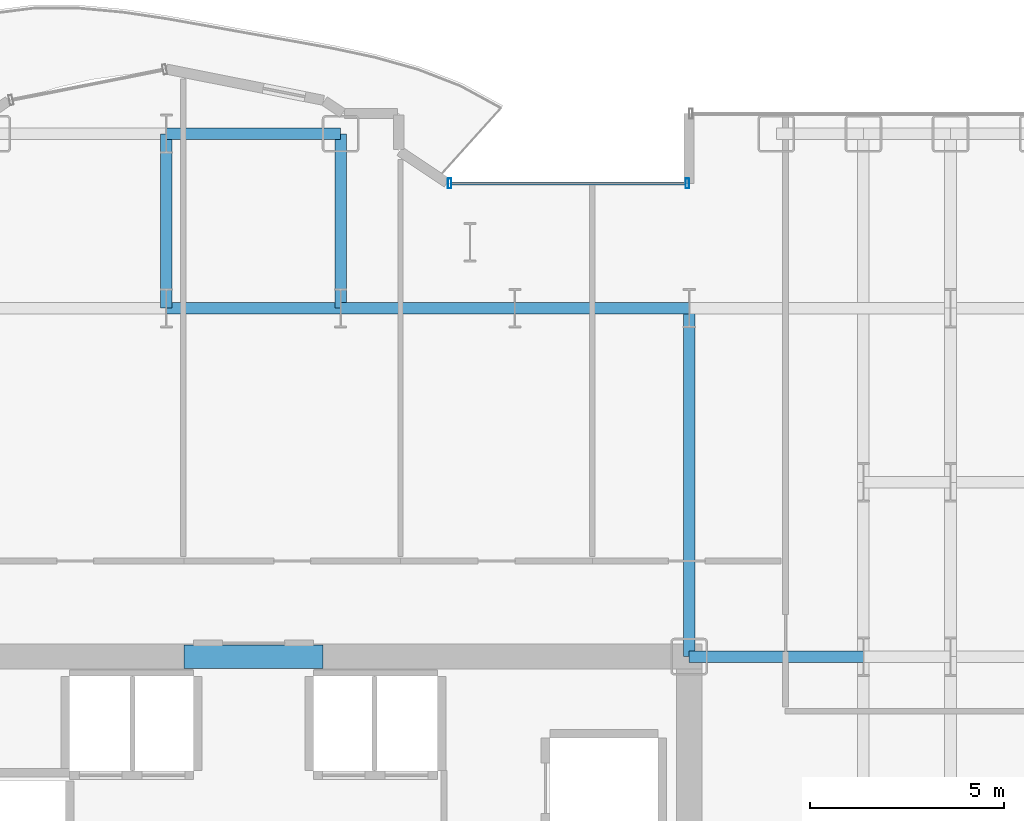
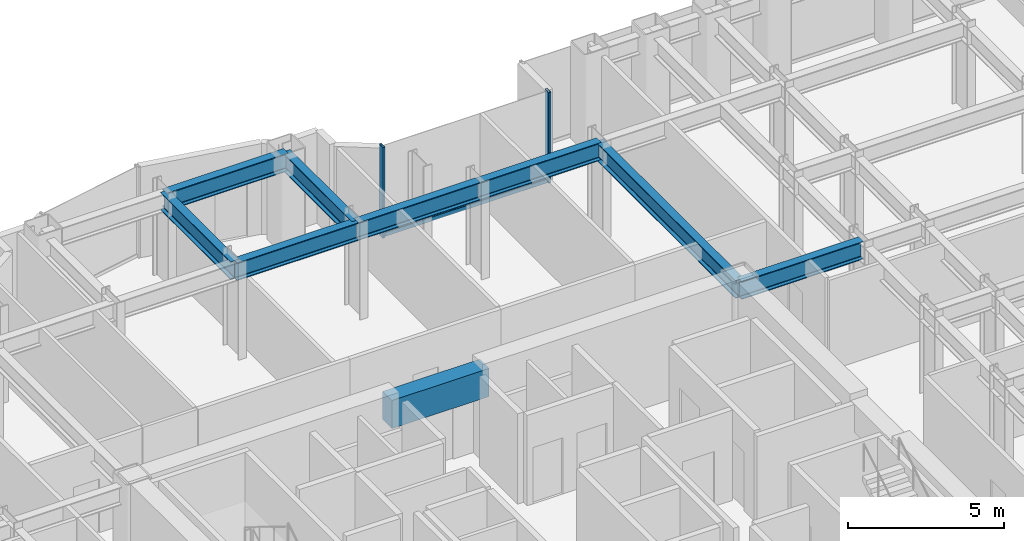
# One storey, part 14 of 29: 9 beams, 3 members, 1 element without a shape of its own.
"""IFC4 building model written with IfcOpenShell, lengths in metres."""

import ifcopenshell
import ifcopenshell.guid

model = None  # the IFC model being written
_history = None  # IfcOwnerHistory: only IFC2X3 demands one
_inside = {}  # id of a spatial element -> (the spatial element, [elements in it])
_under = {}  # id of a project, library or spatial element -> (it, [spatial elements below it])
_declared = {}  # id of a project -> (the project, [libraries it declares])
_typed = {}  # id of a type object -> (the type object, [elements of that type])
_made_of = {}  # id of a material, layer set ... -> (it, [elements and type objects made of it])


def new_model(schema):
    """Start an empty IFC model of exactly this schema.

    Asked for "IFC4X3", IfcOpenShell would pick the latest addendum, in which some entities
    have other attributes; the version numbers below select the first issue.
    IFC2X3 requires an IfcOwnerHistory on every rooted entity: one is made here for all.
    """
    global model, _history
    if schema == "IFC4X3":
        model = ifcopenshell.file(schema_version=(4, 3, 0, 0))
    else:
        model = ifcopenshell.file(schema=schema)
    _inside.clear()
    _under.clear()
    _declared.clear()
    _typed.clear()
    _made_of.clear()
    _history = None
    if model.schema == "IFC2X3":
        org = make("IfcOrganization", Name="unknown")
        user = make(
            "IfcPersonAndOrganization",
            ThePerson=make("IfcPerson", FamilyName="unknown"),
            TheOrganization=org,
        )
        app = make(
            "IfcApplication",
            ApplicationDeveloper=org,
            Version="unknown",
            ApplicationFullName="unknown",
            ApplicationIdentifier="unknown",
        )
        _history = make(
            "IfcOwnerHistory",
            OwningUser=user,
            OwningApplication=app,
            ChangeAction="ADDED",
            CreationDate=0,
        )
    return model


def make(cls, **values):
    """One entity of the class cls with the attributes given. An attribute that is None is left unset."""
    return model.create_entity(
        cls, **{name: value for name, value in values.items() if value is not None}
    )


def rooted(cls, **values):
    """An entity with a GlobalId (a new one), such as an element, a storey or a relation."""
    return make(cls, GlobalId=ifcopenshell.guid.new(), OwnerHistory=_history, **values)


def si_unit(unit_type, name, prefix=None):
    """IfcSIUnit, for example si_unit("LENGTHUNIT", "METRE", prefix="MILLI")."""
    return make("IfcSIUnit", UnitType=unit_type, Prefix=prefix, Name=name)


def assignment(units):
    """IfcUnitAssignment: the units of a project."""
    return None if units is None else make("IfcUnitAssignment", Units=units)


def point(xyz):
    """IfcCartesianPoint."""
    return None if xyz is None else make("IfcCartesianPoint", Coordinates=xyz)


def direction(xyz):
    """IfcDirection."""
    return None if xyz is None else make("IfcDirection", DirectionRatios=xyz)


def frame(location, z_axis=None, x_axis=None):
    """IfcAxis2Placement3D, a coordinate frame: its origin and axes. An axis left out is left unset."""
    return make(
        "IfcAxis2Placement3D",
        Location=point(location),
        Axis=direction(z_axis),
        RefDirection=direction(x_axis),
    )


def frame_2d(location, x_axis=None):
    """IfcAxis2Placement2D, a coordinate frame in the plane: its origin and x axis."""
    return make(
        "IfcAxis2Placement2D", Location=point(location), RefDirection=direction(x_axis)
    )


def origin():
    """The frame at (0, 0, 0) with its axes left unset."""
    return frame((0.0, 0.0, 0.0))


def origin_2d():
    """The frame at (0, 0) in the plane with its x axis left unset."""
    return frame_2d((0.0, 0.0))


def place(relative_to, where):
    """IfcLocalPlacement: puts the frame where relative to a parent placement (None: the world)."""
    return make(
        "IfcLocalPlacement", PlacementRelTo=relative_to, RelativePlacement=where
    )


def context(
    kind, dimensions, precision=None, world=None, true_north=None, identifier=None
):
    """IfcGeometricRepresentationContext, for example the 3D "Model" context."""
    return make(
        "IfcGeometricRepresentationContext",
        ContextIdentifier=identifier,
        ContextType=kind,
        CoordinateSpaceDimension=dimensions,
        Precision=precision,
        WorldCoordinateSystem=world,
        TrueNorth=true_north,
    )


def subcontext(parent, identifier, kind, view, scale=None):
    """IfcGeometricRepresentationSubContext, for example "Body" below "Model"."""
    return make(
        "IfcGeometricRepresentationSubContext",
        ContextIdentifier=identifier,
        ContextType=kind,
        ParentContext=parent,
        TargetScale=scale,
        TargetView=view,
    )


def project(units=None, contexts=None):
    """IfcProject with its units and contexts."""
    return rooted(
        "IfcProject",
        Name="project",
        RepresentationContexts=contexts,
        UnitsInContext=assignment(units),
    )


def spatial(cls, under=None, at=None, **own):
    """A site, building, storey or space (cls), placed at a placement, below another one or the project."""
    s = rooted(cls, ObjectPlacement=at, **own)
    if under is not None:
        _under.setdefault(under.id(), (under, []))[1].append(s)
    return s


def profile(cls, at=None, kind="AREA", **sizes):
    """A parametric profile (cls). Its sizes go by their IFC names, for example OverallWidth=200.0."""
    return make(cls, ProfileType=kind, Position=at, **sizes)


def rectangle(**sizes):
    """IfcRectangleProfileDef."""
    return profile("IfcRectangleProfileDef", **sizes)


def hollow_rectangle(**sizes):
    """IfcRectangleHollowProfileDef."""
    return profile("IfcRectangleHollowProfileDef", **sizes)


def i_section(**sizes):
    """IfcIShapeProfileDef."""
    return profile("IfcIShapeProfileDef", **sizes)


def extrude(swept, where, along, depth):
    """IfcExtrudedAreaSolid: the profile swept, set in the frame where, extruded along a direction by depth."""
    return make(
        "IfcExtrudedAreaSolid",
        SweptArea=swept,
        Position=where,
        ExtrudedDirection=direction(along),
        Depth=depth,
    )


def shape(context_of_items, identifier, shape_type, items):
    """IfcShapeRepresentation: the items that make up one representation, for example the "Body"."""
    return make(
        "IfcShapeRepresentation",
        ContextOfItems=context_of_items,
        RepresentationIdentifier=identifier,
        RepresentationType=shape_type,
        Items=items,
    )


def source(mapping_origin, context_of_items, identifier, shape_type, items):
    """IfcRepresentationMap: a shape defined once, which mapped items show again and again."""
    return make(
        "IfcRepresentationMap",
        MappingOrigin=mapping_origin,
        MappedRepresentation=shape(context_of_items, identifier, shape_type, items),
    )


def transform(
    local_origin,
    x_axis=None,
    y_axis=None,
    z_axis=None,
    scale=None,
    scale2=None,
    scale3=None,
    uniform=True,
):
    """IfcCartesianTransformationOperator3D, or its non-uniform kind. x_axis, y_axis, z_axis: its Axis1, 2, 3."""
    if uniform:
        return make(
            "IfcCartesianTransformationOperator3D",
            Axis1=direction(x_axis),
            Axis2=direction(y_axis),
            LocalOrigin=point(local_origin),
            Scale=scale,
            Axis3=direction(z_axis),
        )
    return make(
        "IfcCartesianTransformationOperator3DnonUniform",
        Axis1=direction(x_axis),
        Axis2=direction(y_axis),
        LocalOrigin=point(local_origin),
        Scale=scale,
        Axis3=direction(z_axis),
        Scale2=scale2,
        Scale3=scale3,
    )


def mapped(mapping_source, mapping_target):
    """IfcMappedItem: shows the shape of a source again, moved by a transform."""
    return make(
        "IfcMappedItem", MappingSource=mapping_source, MappingTarget=mapping_target
    )


def material(Name=None, Category=None):
    """IfcMaterial."""
    return make("IfcMaterial", Name=Name, Category=Category)


def layer(
    of_material, thickness, ventilated=None, Name=None, Category=None, Priority=None
):
    """IfcMaterialLayer: one layer of a wall or slab, of a material (None: an air gap)."""
    return make(
        "IfcMaterialLayer",
        Material=of_material,
        LayerThickness=thickness,
        IsVentilated=ventilated,
        Name=Name,
        Category=Category,
        Priority=Priority,
    )


def layer_set(layers, Name=None):
    """IfcMaterialLayerSet."""
    return make("IfcMaterialLayerSet", MaterialLayers=layers, LayerSetName=Name)


def material_profile(
    of_material, cross_section, Name=None, Category=None, Priority=None
):
    """IfcMaterialProfile: a cross section and its material."""
    return make(
        "IfcMaterialProfile",
        Name=Name,
        Material=of_material,
        Profile=cross_section,
        Priority=Priority,
        Category=Category,
    )


def profile_set(profiles, Name=None, composite=None):
    """IfcMaterialProfileSet."""
    return make(
        "IfcMaterialProfileSet",
        Name=Name,
        MaterialProfiles=profiles,
        CompositeProfile=composite,
    )


def made_of(thing, what):
    """Note that an element or type object is made of a material, layer set ...; save() writes the relation."""
    if what is not None:
        _made_of.setdefault(what.id(), (what, []))[1].append(thing)
    return thing


def type_object(cls, material=None, **own):
    """A type object (cls), such as IfcWallType, which elements share."""
    return made_of(rooted(cls, **own), material)


def element(
    cls,
    number,
    at=None,
    inside=None,
    cuts=None,
    type_object=None,
    material=None,
    context=None,
    identifier="Body",
    shape_type=None,
    held_by="IfcProductDefinitionShape",
    body=None,
    shapes=None,
    **own,
):
    """One element of the class cls, such as IfcWall. Its Tag is "e" and its number.

    at: its placement. inside: the storey or other place that contains it. cuts: it is an
    opening in that element (IfcRelVoidsElement). A single representation is given by context,
    identifier, shape_type and body (its items); several are given by shapes. held_by: the class
    of the entity that holds the representations. save() writes the other relations.
    """
    e = rooted(cls, Tag="e%d" % number, ObjectPlacement=at, **own)
    if body is not None:
        shapes = [shape(context, identifier, shape_type, body)]
    if shapes is not None:
        e.Representation = make(held_by, Representations=shapes)
    if inside is not None:
        _inside.setdefault(inside.id(), (inside, []))[1].append(e)
    if cuts is not None:
        rooted(
            "IfcRelVoidsElement", RelatingBuildingElement=cuts, RelatedOpeningElement=e
        )
    if type_object is not None:
        _typed.setdefault(type_object.id(), (type_object, []))[1].append(e)
    return made_of(e, material)


def aggregate(whole, parts):
    """IfcRelAggregates: a whole, such as a stair, and the parts it consists of."""
    return rooted("IfcRelAggregates", RelatingObject=whole, RelatedObjects=parts)


def save(model, path):
    """Write the relations noted so far, then the file.

    IfcRelAggregates (storeys below a building ...), IfcRelContainedInSpatialStructure (elements
    in a storey), IfcRelDefinesByType, IfcRelAssociatesMaterial and IfcRelDeclares: one each for
    every whole, place, type object, material and project.
    """
    for whole, parts in _under.values():
        aggregate(whole, parts)
    for where, things in _inside.values():
        rooted(
            "IfcRelContainedInSpatialStructure",
            RelatedElements=things,
            RelatingStructure=where,
        )
    for kind, things in _typed.values():
        rooted("IfcRelDefinesByType", RelatedObjects=things, RelatingType=kind)
    for what, things in _made_of.values():
        rooted("IfcRelAssociatesMaterial", RelatedObjects=things, RelatingMaterial=what)
    for by, libraries in _declared.values():
        rooted("IfcRelDeclares", RelatingContext=by, RelatedDefinitions=libraries)
    model.write(path)


model = new_model("IFC4")

# Units and contexts
model_context = context("Model", 3, precision=1e-05, world=origin(), true_north=direction((0.0, 1.0)))
body_context = subcontext(model_context, "Body", "Model", "MODEL_VIEW")
ifc_project = project(units=[si_unit("LENGTHUNIT", "METRE"), si_unit("AREAUNIT", "SQUARE_METRE"), si_unit("VOLUMEUNIT", "CUBIC_METRE"), si_unit("PLANEANGLEUNIT", "RADIAN"), si_unit("MASSUNIT", "GRAM", prefix="KILO")], contexts=[model_context])

# Site, building, storey
site_placement = place(None, origin())
site = spatial("IfcSite", under=ifc_project, at=site_placement, CompositionType="ELEMENT")
building_placement = place(site_placement, origin())
building = spatial("IfcBuilding", under=site, at=building_placement, Name="Nefas-Gora Pilgrimage Tower", CompositionType="ELEMENT")
storey_placement = place(building_placement, frame((0.0, 0.0, 78.60009765625)))
storey = spatial("IfcBuildingStorey", under=building, at=storey_placement, Name="L18", CompositionType="ELEMENT", Elevation=78.60009765625)

# Beams
ifc_material_1 = material(Name="Concrete C60/75", Category="concrete")
ifc_material_profile_1 = material_profile(ifc_material_1, rectangle(XDim=0.60009765625, YDim=1.10009765625, at=origin_2d()), Name="RC 600x1100")
ifc_profile_set_1 = profile_set([ifc_material_profile_1], Name="Concrete C60/75")
beam_type_1 = type_object("IfcBeamType", Name="BM-LIN-RC1100", PredefinedType="LINTEL", material=ifc_profile_set_1)
shared_shape_1 = source(origin(), body_context, "Body", "SweptSolid", [
    extrude(rectangle(XDim=0.60009765625, YDim=1.10009765625, at=origin_2d()), origin(), (0.0, 0.0, 1.0), 3.60009765625),
])
beam_1_placement = place(storey_placement, frame((-1.800048828125, 9.0, 3.0), z_axis=(1.0, 0.0, 0.0), x_axis=(0.0, 1.0, 0.0)))
element("IfcBeam", 1, at=beam_1_placement, inside=storey, type_object=beam_type_1, Name="L18 Core Coupling Lintel Beam N", PredefinedType="LINTEL", context=body_context, shape_type="MappedRepresentation", body=[
    mapped(shared_shape_1, transform((0.0, 0.0, 0.0), x_axis=(1.0, 0.0, 0.0), y_axis=(0.0, 1.0, 0.0), z_axis=(0.0, 0.0, 1.0), scale=1.0)),
])
ifc_material_2 = material(Name="Steel S355", Category="steel")
ifc_material_profile_2 = material_profile(ifc_material_2, i_section(OverallWidth=0.300048828125, OverallDepth=0.699951171875, WebThickness=0.01708984375, FlangeThickness=0.031982421875, FilletRadius=0.027099609375, at=origin_2d()), Name="HEB 700")
ifc_profile_set_2 = profile_set([ifc_material_profile_2], Name="Steel S355")
beam_type_2 = type_object("IfcBeamType", Name="BM-GIR-HEB700", PredefinedType="BEAM", material=ifc_profile_set_2)
shared_shape_2 = source(origin(), body_context, "Body", "SweptSolid", [
    extrude(i_section(OverallWidth=0.300048828125, OverallDepth=0.699951171875, WebThickness=0.01708984375, FlangeThickness=0.031982421875, FilletRadius=0.027099609375, at=origin_2d()), origin(), (0.0, 0.0, 1.0), 9.0),
])
beam_2_placement = place(storey_placement, frame((11.25, 9.0, 3.199951171875), z_axis=(0.0, 1.0, 0.0), x_axis=(-1.0, 0.0, 0.0)))
element("IfcBeam", 2, at=beam_2_placement, inside=storey, type_object=beam_type_2, Name="L18 G-02 beam", PredefinedType="BEAM", context=body_context, shape_type="MappedRepresentation", body=[
    mapped(shared_shape_2, transform((0.0, 0.0, 0.0), x_axis=(1.0, 0.0, 0.0), y_axis=(0.0, 1.0, 0.0), z_axis=(0.0, 0.0, 1.0), scale=1.0)),
])
shared_shape_3 = source(origin(), body_context, "Body", "SweptSolid", [
    extrude(i_section(OverallWidth=0.300048828125, OverallDepth=0.699951171875, WebThickness=0.01708984375, FlangeThickness=0.031982421875, FilletRadius=0.027099609375, at=origin_2d()), origin(), (0.0, 0.0, 1.0), 4.5),
])
for number, where, z_axis, x_axis, name in (
    (3, (-2.25, 18.0, 3.199951171875), (0.0, 1.0, 0.0), (-1.0, 0.0, 0.0), "L18 G-02 beam"),
    (4, (-2.25, 18.0, 3.199951171875), (1.0, 0.0, 0.0), (0.0, 1.0, 0.0), "L18 G-02 beam"),
    (5, (-2.25, 22.5, 3.199951171875), (1.0, 0.0, 0.0), (0.0, 1.0, 0.0), "L18 G-02 beam"),
    (6, (2.25, 18.0, 3.199951171875), (0.0, 1.0, 0.0), (-1.0, 0.0, 0.0), "L18 G-02 beam"),
    (7, (2.25, 18.0, 3.199951171875), (1.0, 0.0, 0.0), (0.0, 1.0, 0.0), "L18 G-02 beam"),
    (8, (6.75, 18.0, 3.199951171875), (1.0, 0.0, 0.0), (0.0, 1.0, 0.0), "L18 G-02 beam"),
    (9, (11.25, 9.0, 3.199951171875), (1.0, 0.0, 0.0), (0.0, 1.0, 0.0), "L18 G-02 beam"),
):
    element("IfcBeam", number, at=place(storey_placement, frame(where, z_axis=z_axis, x_axis=x_axis)), inside=storey, type_object=beam_type_2, Name=name, PredefinedType="BEAM", context=body_context, shape_type="MappedRepresentation", body=[
        mapped(shared_shape_3, transform((0.0, 0.0, 0.0), x_axis=(1.0, 0.0, 0.0), y_axis=(0.0, 1.0, 0.0), z_axis=(0.0, 0.0, 1.0), scale=1.0)),
    ])

# Curtain wall, members
ifc_material_3 = material(Name="Dark ceramic-fritted solar-control aluminium-glass curtain wall", Category="aluminium")
ifc_layer = layer(ifc_material_3, 0.219970703125)
ifc_layer_set = layer_set([ifc_layer], Name="Dark ceramic-fritted solar-control aluminium-glass curtain wall")
curtain_wall_type = type_object("IfcCurtainWallType", Name="CW-SYS-5", PredefinedType="NOTDEFINED", material=ifc_layer_set)
curtain_wall_placement = place(storey_placement, origin())
curtain_wall = element("IfcCurtainWall", 10, at=curtain_wall_placement, inside=storey, type_object=curtain_wall_type, Name="L18 Unitised Curtain Wall CW5", PredefinedType="NOTDEFINED")
ifc_material_4 = material(Name="Anodised architectural aluminium", Category="aluminium")
ifc_material_profile_3 = material_profile(ifc_material_4, hollow_rectangle(XDim=0.080078125, YDim=0.159912109375, WallThickness=0.00439453125, InnerFilletRadius=0.00439453125, OuterFilletRadius=0.009033203125, at=origin_2d()), Name="ALU TRANSOM 80x160")
ifc_profile_set_3 = profile_set([ifc_material_profile_3], Name="Anodised architectural aluminium")
member_type_1 = type_object("IfcMemberType", Name="CWM-TRN-5", PredefinedType="USERDEFINED", material=ifc_profile_set_3)
shared_shape_4 = source(origin(), body_context, "Body", "SweptSolid", [
    extrude(hollow_rectangle(XDim=0.080078125, YDim=0.159912109375, WallThickness=0.00439453125, InnerFilletRadius=0.00439453125, OuterFilletRadius=0.009033203125, at=origin_2d()), origin(), (0.0, 0.0, 1.0), 6.052001953125),
])
member_1_placement = place(storey_placement, frame((11.159912109375, 21.219970703125, 0.0498046875), z_axis=(-1.0, 0.0, 0.0), x_axis=(0.0, -1.0, 0.0)))
member_1 = element("IfcMember", 11, at=member_1_placement, type_object=member_type_1, Name="CW5 Spandrel Transom", ObjectType="TRANSOM", PredefinedType="USERDEFINED", context=body_context, shape_type="MappedRepresentation", body=[
    mapped(shared_shape_4, transform((0.0, 0.0, 0.0), x_axis=(1.0, 0.0, 0.0), y_axis=(0.0, 1.0, 0.0), z_axis=(0.0, 0.0, 1.0), scale=1.0)),
])
ifc_material_profile_4 = material_profile(ifc_material_4, hollow_rectangle(XDim=0.090087890625, YDim=0.260009765625, WallThickness=0.006103515625, InnerFilletRadius=0.006103515625, OuterFilletRadius=0.011962890625, at=origin_2d()), Name="ALU MULLION 90x260")
ifc_profile_set_4 = profile_set([ifc_material_profile_4], Name="Anodised architectural aluminium")
member_type_2 = type_object("IfcMemberType", Name="CWM-MUL-5", PredefinedType="MULLION", material=ifc_profile_set_4)
shared_shape_5 = source(origin(), body_context, "Body", "SweptSolid", [
    extrude(hollow_rectangle(XDim=0.090087890625, YDim=0.260009765625, WallThickness=0.006103515625, InnerFilletRadius=0.006103515625, OuterFilletRadius=0.011962890625, at=origin_2d()), origin(), (0.0, 0.0, 1.0), 3.5498046875),
])
member_2_placement = place(storey_placement, frame((11.205078125, 21.219970703125, 0.0), z_axis=(0.0, 0.0, 1.0), x_axis=(-1.0, 0.0, 0.0)))
member_2 = element("IfcMember", 12, at=member_2_placement, type_object=member_type_2, Name="CW5 Mullion 1", PredefinedType="MULLION", context=body_context, shape_type="MappedRepresentation", body=[
    mapped(shared_shape_5, transform((0.0, 0.0, 0.0), x_axis=(1.0, 0.0, 0.0), y_axis=(0.0, 1.0, 0.0), z_axis=(0.0, 0.0, 1.0), scale=1.0)),
])
member_3_placement = place(storey_placement, frame((5.06298828125, 21.219970703125, 0.0), z_axis=(0.0, 0.0, 1.0), x_axis=(-1.0, 0.0, 0.0)))
member_3 = element("IfcMember", 13, at=member_3_placement, type_object=member_type_2, Name="CW5 Mullion 2", PredefinedType="MULLION", context=body_context, shape_type="MappedRepresentation", body=[
    mapped(shared_shape_5, transform((0.0, 0.0, 0.0), x_axis=(1.0, 0.0, 0.0), y_axis=(0.0, 1.0, 0.0), z_axis=(0.0, 0.0, 1.0), scale=1.0)),
])
aggregate(curtain_wall, [member_2, member_3, member_1])

save(model, "model.ifc")
